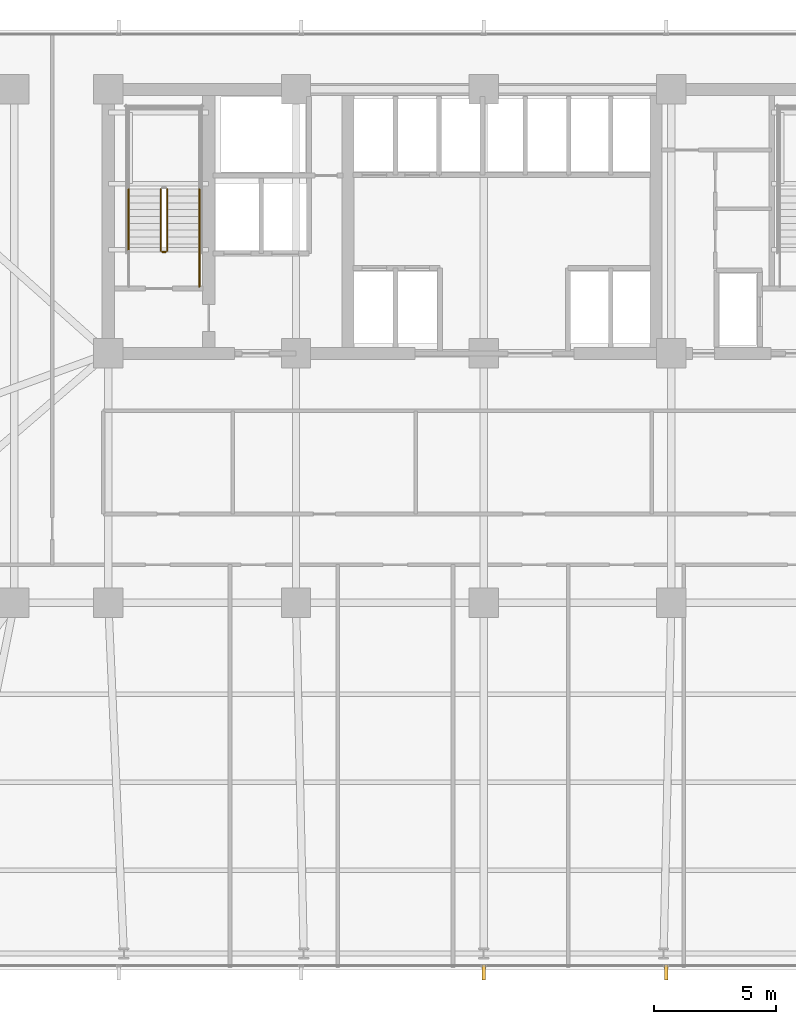
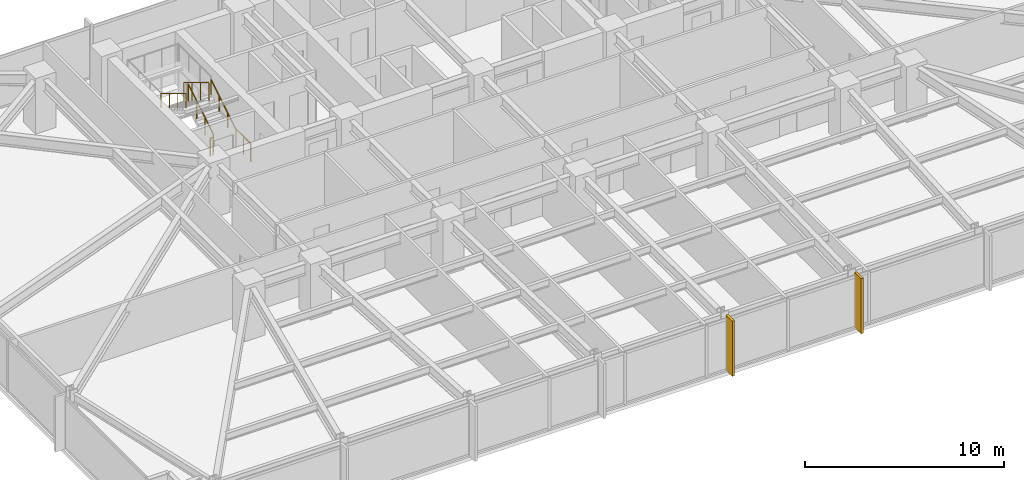
# One storey, part 28 of 32: 6 railings, 2 shading devices.
"""IFC4 building model written with IfcOpenShell, lengths in metres."""

from ifc_helpers import new_model, si_unit, direction, frame, origin, origin_2d, place, context, subcontext, project, spatial, rectangle, circle, extrude, material, layer, layer_set, type_object, element, save


model = new_model("IFC4")

# Units and contexts
model_context = context("Model", 3, precision=1e-05, world=origin(), true_north=direction((0.0, 1.0)))
body_context = subcontext(model_context, "Body", "Model", "MODEL_VIEW")
ifc_project = project(units=[si_unit("LENGTHUNIT", "METRE"), si_unit("AREAUNIT", "SQUARE_METRE"), si_unit("VOLUMEUNIT", "CUBIC_METRE"), si_unit("PLANEANGLEUNIT", "RADIAN"), si_unit("MASSUNIT", "GRAM", prefix="KILO")], contexts=[model_context])

# Site, building, storey
site_placement = place(None, origin())
site = spatial("IfcSite", under=ifc_project, at=site_placement, CompositionType="ELEMENT")
building_placement = place(site_placement, origin())
building = spatial("IfcBuilding", under=site, at=building_placement, Name="Yelkora Congress Tower", CompositionType="ELEMENT")
storey_placement = place(building_placement, frame((0.0, 0.0, 57.60009765625)))
storey = spatial("IfcBuildingStorey", under=building, at=storey_placement, Name="L14", CompositionType="ELEMENT", Elevation=57.60009765625)

# Railings
ifc_material_1 = material(Name="Painted galvanised steel stair well guard with vertical infill", Category="steel")
ifc_layer_1 = layer(ifc_material_1, 0.06005859375)
ifc_layer_set_1 = layer_set([ifc_layer_1], Name="Painted galvanised steel stair well guard with vertical infill")
railing_type_1 = type_object("IfcRailingType", Name="RAIL-STAIR-GUARD-1120", PredefinedType="GUARDRAIL", material=ifc_layer_set_1)
railing_1_placement = place(storey_placement, frame((25.449951171875, 39.60009765625, 0.169921875)))
element("IfcRailing", 1, at=railing_1_placement, inside=storey, type_object=railing_type_1, Name="ST-01 L14 Stair Well Guardrail 1", PredefinedType="GUARDRAIL", context=body_context, shape_type="SweptSolid", body=[
    extrude(circle(Radius=0.02392578125, at=origin_2d()), frame((0.0, 0.0, 1.09619140625), z_axis=(0.0, 0.85478489116, 0.518982456201), x_axis=(-1.0, 0.0, 0.0)), (0.0, 0.0, 1.0), 2.9482421875),
    extrude(circle(Radius=0.02099609375, at=origin_2d()), origin(), (0.0, 0.0, 1.0), 1.072021484375),
    extrude(circle(Radius=0.02099609375, at=origin_2d()), frame((0.0, 0.840087890625, 0.510009765625)), (0.0, 0.0, 1.0), 1.072021484375),
    extrude(circle(Radius=0.02099609375, at=origin_2d()), frame((0.0, 1.679931640625, 1.02001953125)), (0.0, 0.0, 1.0), 1.072021484375),
    extrude(circle(Radius=0.02099609375, at=origin_2d()), frame((0.0, 2.52001953125, 1.530029296875)), (0.0, 0.0, 1.0), 1.072021484375),
])
railing_2_placement = place(storey_placement, frame((25.18994140625, 42.1201171875, 1.869873046875)))
element("IfcRailing", 2, at=railing_2_placement, inside=storey, type_object=railing_type_1, Name="ST-01 L14 Stair Well Guardrail 6", PredefinedType="GUARDRAIL", context=body_context, shape_type="SweptSolid", body=[
    extrude(circle(Radius=0.02392578125, at=origin_2d()), frame((0.0, 0.0, 1.09619140625), z_axis=(0.0, -0.85478489116, 0.518982456201), x_axis=(1.0, 0.0, 0.0)), (0.0, 0.0, 1.0), 2.9482421875),
    extrude(circle(Radius=0.02099609375, at=origin_2d()), origin(), (0.0, 0.0, 1.0), 1.072021484375),
    extrude(circle(Radius=0.02099609375, at=origin_2d()), frame((0.0, -0.840087890625, 0.510009765625)), (0.0, 0.0, 1.0), 1.072021484375),
    extrude(circle(Radius=0.02099609375, at=origin_2d()), frame((0.0, -1.679931640625, 1.02001953125)), (0.0, 0.0, 1.0), 1.072021484375),
    extrude(circle(Radius=0.02099609375, at=origin_2d()), frame((0.0, -2.52001953125, 1.530029296875)), (0.0, 0.0, 1.0), 1.072021484375),
])
railing_3_placement = place(storey_placement, frame((25.39990234375, 39.550048828125, 0.0)))
element("IfcRailing", 3, at=railing_3_placement, inside=storey, type_object=railing_type_1, Name="ST-01 L14 Stair Well Guardrail 7", PredefinedType="GUARDRAIL", context=body_context, shape_type="SweptSolid", body=[
    extrude(circle(Radius=0.02392578125, at=origin_2d()), frame((0.0, 0.0, 1.09619140625), z_axis=(-1.0, 0.0, 0.0), x_axis=(0.0, -1.0, 0.0)), (0.0, 0.0, 1.0), 0.159912109375),
    extrude(circle(Radius=0.02099609375, at=origin_2d()), origin(), (0.0, 0.0, 1.0), 1.072021484375),
    extrude(circle(Radius=0.02099609375, at=origin_2d()), frame((-0.159912109375, 0.0, 0.0)), (0.0, 0.0, 1.0), 1.072021484375),
])
railing_4_placement = place(storey_placement, frame((26.77001953125, 38.1201171875, 0.0)))
element("IfcRailing", 4, at=railing_4_placement, inside=storey, type_object=railing_type_1, Name="ST-01 L14 Stair Well Guardrail 8", PredefinedType="GUARDRAIL", context=body_context, shape_type="SweptSolid", body=[
    extrude(circle(Radius=0.02392578125, at=origin_2d()), frame((0.0, 0.0, 1.09619140625), z_axis=(0.0, 1.0, 0.0), x_axis=(-1.0, 0.0, 0.0)), (0.0, 0.0, 1.0), 1.47998046875),
    extrude(circle(Radius=0.02099609375, at=origin_2d()), origin(), (0.0, 0.0, 1.0), 1.072021484375),
    extrude(circle(Radius=0.02099609375, at=origin_2d()), frame((0.0, 0.739990234375, 0.0)), (0.0, 0.0, 1.0), 1.072021484375),
    extrude(circle(Radius=0.02099609375, at=origin_2d()), frame((0.0, 1.47998046875, 0.0)), (0.0, 0.0, 1.0), 1.072021484375),
])
ifc_material_2 = material(Name="Brushed stainless steel tubular handrail", Category="steel")
ifc_layer_2 = layer(ifc_material_2, 0.050048828125)
ifc_layer_set_2 = layer_set([ifc_layer_2], Name="Brushed stainless steel tubular handrail")
railing_type_2 = type_object("IfcRailingType", Name="RAIL-STAIR-HAND-920", PredefinedType="HANDRAIL", material=ifc_layer_set_2)
railing_5_placement = place(storey_placement, frame((26.77001953125, 39.60009765625, 0.169921875)))
element("IfcRailing", 5, at=railing_5_placement, inside=storey, type_object=railing_type_2, Name="ST-01 L14 Pitch Handrail 1", PredefinedType="HANDRAIL", context=body_context, shape_type="SweptSolid", body=[
    extrude(circle(Radius=0.02392578125, at=origin_2d()), frame((0.0, 0.0, 0.89599609375), z_axis=(0.0, 0.85478489116, 0.518982456201), x_axis=(-1.0, 0.0, 0.0)), (0.0, 0.0, 1.0), 2.9482421875),
    extrude(circle(Radius=0.02099609375, at=origin_2d()), origin(), (0.0, 0.0, 1.0), 0.871826171875),
    extrude(circle(Radius=0.02099609375, at=origin_2d()), frame((0.0, 0.840087890625, 0.510009765625)), (0.0, 0.0, 1.0), 0.871826171875),
    extrude(circle(Radius=0.02099609375, at=origin_2d()), frame((0.0, 1.679931640625, 1.02001953125)), (0.0, 0.0, 1.0), 0.871826171875),
    extrude(circle(Radius=0.02099609375, at=origin_2d()), frame((0.0, 2.52001953125, 1.530029296875)), (0.0, 0.0, 1.0), 0.871826171875),
])
railing_6_placement = place(storey_placement, frame((23.8701171875, 42.1201171875, 1.869873046875)))
element("IfcRailing", 6, at=railing_6_placement, inside=storey, type_object=railing_type_2, Name="ST-01 L14 Pitch Handrail 2", PredefinedType="HANDRAIL", context=body_context, shape_type="SweptSolid", body=[
    extrude(circle(Radius=0.02392578125, at=origin_2d()), frame((0.0, 0.0, 0.89599609375), z_axis=(0.0, -0.85478489116, 0.518982456201), x_axis=(1.0, 0.0, 0.0)), (0.0, 0.0, 1.0), 2.9482421875),
    extrude(circle(Radius=0.02099609375, at=origin_2d()), origin(), (0.0, 0.0, 1.0), 0.871826171875),
    extrude(circle(Radius=0.02099609375, at=origin_2d()), frame((0.0, -0.840087890625, 0.510009765625)), (0.0, 0.0, 1.0), 0.871826171875),
    extrude(circle(Radius=0.02099609375, at=origin_2d()), frame((0.0, -1.679931640625, 1.02001953125)), (0.0, 0.0, 1.0), 0.871826171875),
    extrude(circle(Radius=0.02099609375, at=origin_2d()), frame((0.0, -2.52001953125, 1.530029296875)), (0.0, 0.0, 1.0), 0.871826171875),
])

# Shading devices
ifc_material_3 = material(Name="Champagne anodised aluminium", Category="aluminium")
ifc_layer_3 = layer(ifc_material_3, 3.39990234375)
ifc_layer_set_3 = layer_set([ifc_layer_3], Name="Champagne anodised aluminium")
shading_device_type = type_object("IfcShadingDeviceType", Name="SHD-FIN-ALU-640", PredefinedType="USERDEFINED", material=ifc_layer_set_3)
for number, where, z_axis, x_axis, name in (
    (7, (45.864990234375, 10.080078125, -0.030029296875), (0.0, 0.0, 1.0), (-1.0, 0.0, 0.0), "L14 Vertical Anodised Solar Fin 20-3"),
    (8, (38.39990234375, 10.080078125, -0.030029296875), (0.0, 0.0, 1.0), (-1.0, 0.0, 0.0), "L14 Vertical Anodised Solar Fin 20-4"),
):
    element("IfcShadingDevice", number, at=place(storey_placement, frame(where, z_axis=z_axis, x_axis=x_axis)), inside=storey, type_object=shading_device_type, Name=name, ObjectType="FIN", PredefinedType="USERDEFINED", context=body_context, shape_type="SweptSolid", body=[
        extrude(rectangle(XDim=0.139892578125, YDim=0.639892578125, at=origin_2d()), origin(), (0.0, 0.0, 1.0), 3.3798828125),
    ])

save(model, "model.ifc")
